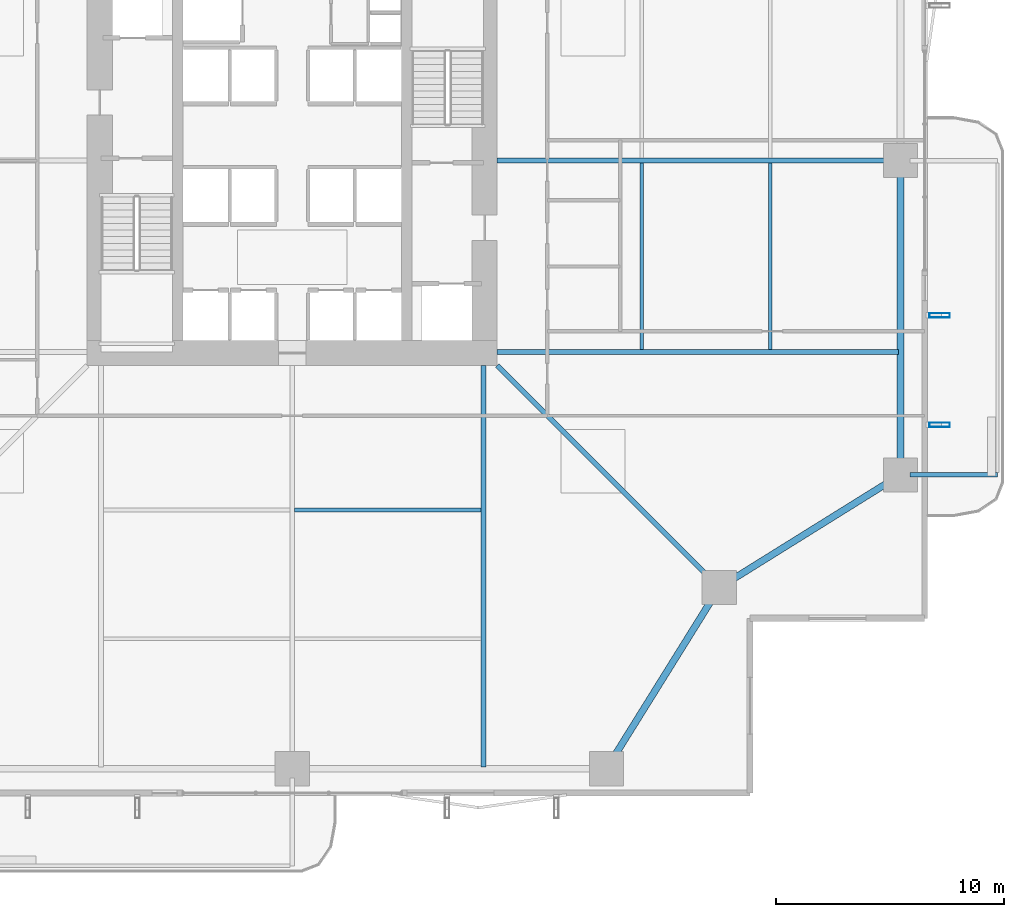
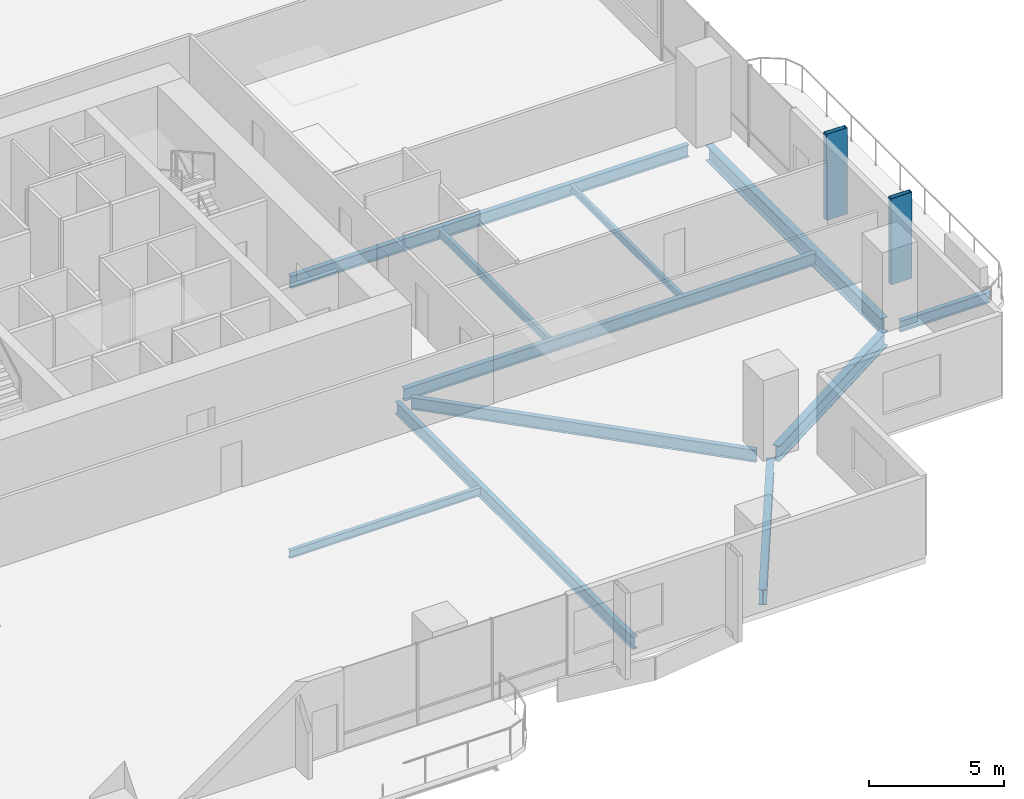
# One storey, part 7 of 23: 11 beams, 2 members.
"""IFC4 building model written with IfcOpenShell, lengths in metres."""

from ifc_helpers import new_model, si_unit, direction, frame, origin, origin_2d, place, context, subcontext, project, spatial, hollow_rectangle, i_section, extrude, material, material_profile, profile_set, type_object, element, save


model = new_model("IFC4")

# Units and contexts
model_context = context("Model", 3, precision=1e-05, world=origin(), true_north=direction((0.0, 1.0)))
body_context = subcontext(model_context, "Body", "Model", "MODEL_VIEW")
ifc_project = project(units=[si_unit("LENGTHUNIT", "METRE"), si_unit("AREAUNIT", "SQUARE_METRE"), si_unit("VOLUMEUNIT", "CUBIC_METRE"), si_unit("PLANEANGLEUNIT", "RADIAN"), si_unit("MASSUNIT", "GRAM", prefix="KILO")], contexts=[model_context])

# Site, building, storey
site_placement = place(None, origin())
site = spatial("IfcSite", under=ifc_project, at=site_placement, CompositionType="ELEMENT")
building_placement = place(site_placement, origin())
building = spatial("IfcBuilding", under=site, at=building_placement, Name="Belovzor Exchange Tower", CompositionType="ELEMENT")
storey_placement = place(building_placement, frame((0.0, 0.0, 100.199951171875)))
storey = spatial("IfcBuildingStorey", under=building, at=storey_placement, Name="L24", CompositionType="ELEMENT", Elevation=100.199951171875)

# Beams
ifc_material_1 = material(Name="Steel S355", Category="steel")
ifc_material_profile_1 = material_profile(ifc_material_1, i_section(OverallWidth=0.199951171875, OverallDepth=0.5, WebThickness=0.01025390625, FlangeThickness=0.01611328125, at=origin_2d()))
ifc_profile_set_1 = profile_set([ifc_material_profile_1], Name="Steel S355")
beam_type_1 = type_object("IfcBeamType", Name="Planted Balcony Cantilever Beam IPE 500", PredefinedType="BEAM", material=ifc_profile_set_1)
beam_1_placement = place(storey_placement, frame((55.9130859375, 15.0, -0.5), z_axis=(1.0, 0.0, 0.0), x_axis=(0.0, 1.0, 0.0)))
element("IfcBeam", 1, at=beam_1_placement, inside=storey, type_object=beam_type_1, Name="BC-500 Planted Balcony Cantilever Beam IPE 500", PredefinedType="BEAM", context=body_context, shape_type="SweptSolid", body=[
    extrude(i_section(OverallWidth=0.199951171875, OverallDepth=0.5, WebThickness=0.01025390625, FlangeThickness=0.01611328125, at=origin_2d()), origin(), (0.0, 0.0, 1.0), 3.849853515625),
])
ifc_material_2 = material(Name="Steel S355", Category="steel")
ifc_material_profile_2 = material_profile(ifc_material_2, i_section(OverallWidth=0.169921875, OverallDepth=0.360107421875, WebThickness=0.008056640625, FlangeThickness=0.0126953125, at=origin_2d()))
ifc_profile_set_2 = profile_set([ifc_material_profile_2], Name="Steel S355")
beam_type_2 = type_object("IfcBeamType", Name="Secondary Infill Floor Joist IPE 360", PredefinedType="BEAM", material=ifc_profile_set_2)
beam_2_placement = place(storey_placement, frame((28.905029296875, 13.455078125, -0.429931640625), z_axis=(1.0, 0.0, 0.0), x_axis=(0.0, 1.0, 0.0)))
element("IfcBeam", 2, at=beam_2_placement, inside=storey, type_object=beam_type_2, Name="FJ-360 Secondary Infill Floor Joist IPE 360", PredefinedType="BEAM", context=body_context, shape_type="SweptSolid", body=[
    extrude(i_section(OverallWidth=0.169921875, OverallDepth=0.360107421875, WebThickness=0.008056640625, FlangeThickness=0.0126953125, at=origin_2d()), origin(), (0.0, 0.0, 1.0), 8.18994140625),
])
beam_3_placement = place(storey_placement, frame((44.14501953125, 20.5048828125, -0.429931640625), z_axis=(0.0, 1.0, 0.0), x_axis=(-1.0, 0.0, 0.0)))
element("IfcBeam", 3, at=beam_3_placement, inside=storey, type_object=beam_type_2, Name="FJ-360 Secondary Infill Floor Joist IPE 360", PredefinedType="BEAM", context=body_context, shape_type="SweptSolid", body=[
    extrude(i_section(OverallWidth=0.169921875, OverallDepth=0.360107421875, WebThickness=0.008056640625, FlangeThickness=0.0126953125, at=origin_2d()), origin(), (0.0, 0.0, 1.0), 8.190185546875),
])
ifc_material_3 = material(Name="Steel S355", Category="steel")
ifc_material_profile_3 = material_profile(ifc_material_3, i_section(OverallWidth=0.14990234375, OverallDepth=0.300048828125, WebThickness=0.007080078125, FlangeThickness=0.0107421875, at=origin_2d()))
ifc_profile_set_3 = profile_set([ifc_material_profile_3], Name="Steel S355")
beam_type_3 = type_object("IfcBeamType", Name="Secondary Trim Floor Joist IPE 300", PredefinedType="BEAM", material=ifc_profile_set_3)
beam_4_placement = place(storey_placement, frame((49.784912109375, 20.5048828125, -0.39990234375), z_axis=(0.0, 1.0, 0.0), x_axis=(-1.0, 0.0, 0.0)))
element("IfcBeam", 4, at=beam_4_placement, inside=storey, type_object=beam_type_3, Name="FJ-300 Secondary Trim Floor Joist IPE 300", PredefinedType="BEAM", context=body_context, shape_type="SweptSolid", body=[
    extrude(i_section(OverallWidth=0.14990234375, OverallDepth=0.300048828125, WebThickness=0.007080078125, FlangeThickness=0.0107421875, at=origin_2d()), origin(), (0.0, 0.0, 1.0), 8.190185546875),
])

# Members
ifc_material_4 = material(Name="Extruded Architectural Terracotta on Steel S355 Carrier", Category="masonry")
ifc_material_profile_4 = material_profile(ifc_material_4, hollow_rectangle(XDim=0.199951171875, YDim=0.89990234375, WallThickness=0.011962890625, at=origin_2d()))
ifc_profile_set_4 = profile_set([ifc_material_profile_4], Name="Extruded Architectural Terracotta on Steel S355 Carrier")
member_type = type_object("IfcMemberType", Name="Sweeping Terracotta Baguette Fin Assembly 1250", PredefinedType="USERDEFINED", material=ifc_profile_set_4)
for number, where, z_axis, x_axis, name in (
    (5, (57.22509765625, 17.199951171875, -0.25), (0.0, 0.0, 1.0), (0.0, 1.0, 0.0), "FIN-TC125 Terracotta Facade Fin L24 E1"),
    (6, (57.22509765625, 22.0, -0.25), (0.0, 0.0, 1.0), (0.0, 1.0, 0.0), "FIN-TC125 Terracotta Facade Fin L24 E2"),
):
    element("IfcMember", number, at=place(storey_placement, frame(where, z_axis=z_axis, x_axis=x_axis)), inside=storey, type_object=member_type, Name=name, ObjectType="FIN", PredefinedType="USERDEFINED", context=body_context, shape_type="SweptSolid", body=[
        extrude(hollow_rectangle(XDim=0.199951171875, YDim=0.89990234375, WallThickness=0.011962890625, at=origin_2d()), origin(), (0.0, 0.0, 1.0), 3.900146484375),
    ])

# Beams
ifc_material_5 = material(Name="Steel S355", Category="steel")
ifc_material_profile_5 = material_profile(ifc_material_5, i_section(OverallWidth=0.300048828125, OverallDepth=0.699951171875, WebThickness=0.01708984375, FlangeThickness=0.031982421875, at=origin_2d()))
ifc_profile_set_5 = profile_set([ifc_material_profile_5], Name="Steel S355")
beam_type_4 = type_object("IfcBeamType", Name="Zone 1 Primary Perimeter Girder HEB 700", PredefinedType="BEAM", material=ifc_profile_set_5)
for number, where, z_axis, x_axis, name in (
    (7, (42.818115234375, 2.449951171875, -0.599853515625), (0.528538629686, 0.848909251292, 0.0), (-0.848909251292, 0.528538629686, 0.0), "FG-Z1 Zone 1 Primary Perimeter Girder HEB 700"),
    (8, (47.89990234375, 10.26806640625, -0.599853515625), (0.848909251292, 0.528538629686, 0.0), (-0.528538629686, 0.848909251292, 0.0), "FG-Z1 Zone 1 Primary Perimeter Girder HEB 700"),
):
    element("IfcBeam", number, at=place(storey_placement, frame(where, z_axis=z_axis, x_axis=x_axis)), inside=storey, type_object=beam_type_4, Name=name, PredefinedType="BEAM", context=body_context, shape_type="SweptSolid", body=[
        extrude(i_section(OverallWidth=0.300048828125, OverallDepth=0.699951171875, WebThickness=0.01708984375, FlangeThickness=0.031982421875, at=origin_2d()), origin(), (0.0, 0.0, 1.0), 8.540283203125),
    ])
beam_5_placement = place(storey_placement, frame((55.5, 15.412109375, -0.599853515625), z_axis=(0.0, 1.0, 0.0), x_axis=(-1.0, 0.0, 0.0)))
element("IfcBeam", 9, at=beam_5_placement, inside=storey, type_object=beam_type_4, Name="FG-Z1 Zone 1 Primary Perimeter Girder HEB 700", PredefinedType="BEAM", context=body_context, shape_type="SweptSolid", body=[
    extrude(i_section(OverallWidth=0.300048828125, OverallDepth=0.699951171875, WebThickness=0.01708984375, FlangeThickness=0.031982421875, at=origin_2d()), origin(), (0.0, 0.0, 1.0), 12.974853515625),
])
ifc_material_6 = material(Name="Steel S355", Category="steel")
ifc_material_profile_6 = material_profile(ifc_material_6, i_section(OverallWidth=0.2099609375, OverallDepth=0.550048828125, WebThickness=0.010986328125, FlangeThickness=0.01708984375, at=origin_2d()))
ifc_profile_set_6 = profile_set([ifc_material_profile_6], Name="Steel S355")
beam_type_5 = type_object("IfcBeamType", Name="Zone 1 Radial Composite Floor Beam IPE 550", PredefinedType="BEAM", material=ifc_profile_set_6)
for number, where, z_axis, x_axis, name in (
    (10, (37.199951171875, 19.800048828125, -0.52490234375), (0.0, -1.0, 0.0), (1.0, 0.0, 0.0), "FB-550 Zone 1 Radial Composite Floor Beam IPE 550"),
    (11, (37.800048828125, 20.39990234375, -0.52490234375), (1.0, 0.0, 0.0), (0.0, 1.0, 0.0), "FB-550 Zone 1 Radial Composite Floor Beam IPE 550"),
):
    element("IfcBeam", number, at=place(storey_placement, frame(where, z_axis=z_axis, x_axis=x_axis)), inside=storey, type_object=beam_type_5, Name=name, PredefinedType="BEAM", context=body_context, shape_type="SweptSolid", body=[
        extrude(i_section(OverallWidth=0.2099609375, OverallDepth=0.550048828125, WebThickness=0.010986328125, FlangeThickness=0.01708984375, at=origin_2d()), origin(), (0.0, 0.0, 1.0), 17.625),
    ])
beam_6_placement = place(storey_placement, frame((37.800048828125, 28.800048828125, -0.52490234375), z_axis=(1.0, 0.0, 0.0), x_axis=(0.0, 1.0, 0.0)))
element("IfcBeam", 12, at=beam_6_placement, inside=storey, type_object=beam_type_5, Name="FB-550 Zone 1 Radial Composite Floor Beam IPE 550", PredefinedType="BEAM", context=body_context, shape_type="SweptSolid", body=[
    extrude(i_section(OverallWidth=0.2099609375, OverallDepth=0.550048828125, WebThickness=0.010986328125, FlangeThickness=0.01708984375, at=origin_2d()), origin(), (0.0, 0.0, 1.0), 17.0400390625),
])
beam_7_placement = place(storey_placement, frame((37.800048828125, 19.800048828125, -0.52490234375), z_axis=(0.707106781187, -0.707106781187, 0.0), x_axis=(0.707106781187, 0.707106781187, 0.0)))
element("IfcBeam", 13, at=beam_7_placement, inside=storey, type_object=beam_type_5, Name="FB-550 Zone 1 Radial Composite Floor Beam IPE 550", PredefinedType="BEAM", context=body_context, shape_type="SweptSolid", body=[
    extrude(i_section(OverallWidth=0.2099609375, OverallDepth=0.550048828125, WebThickness=0.010986328125, FlangeThickness=0.01708984375, at=origin_2d()), origin(), (0.0, 0.0, 1.0), 13.25830078125),
])

save(model, "model.ifc")
